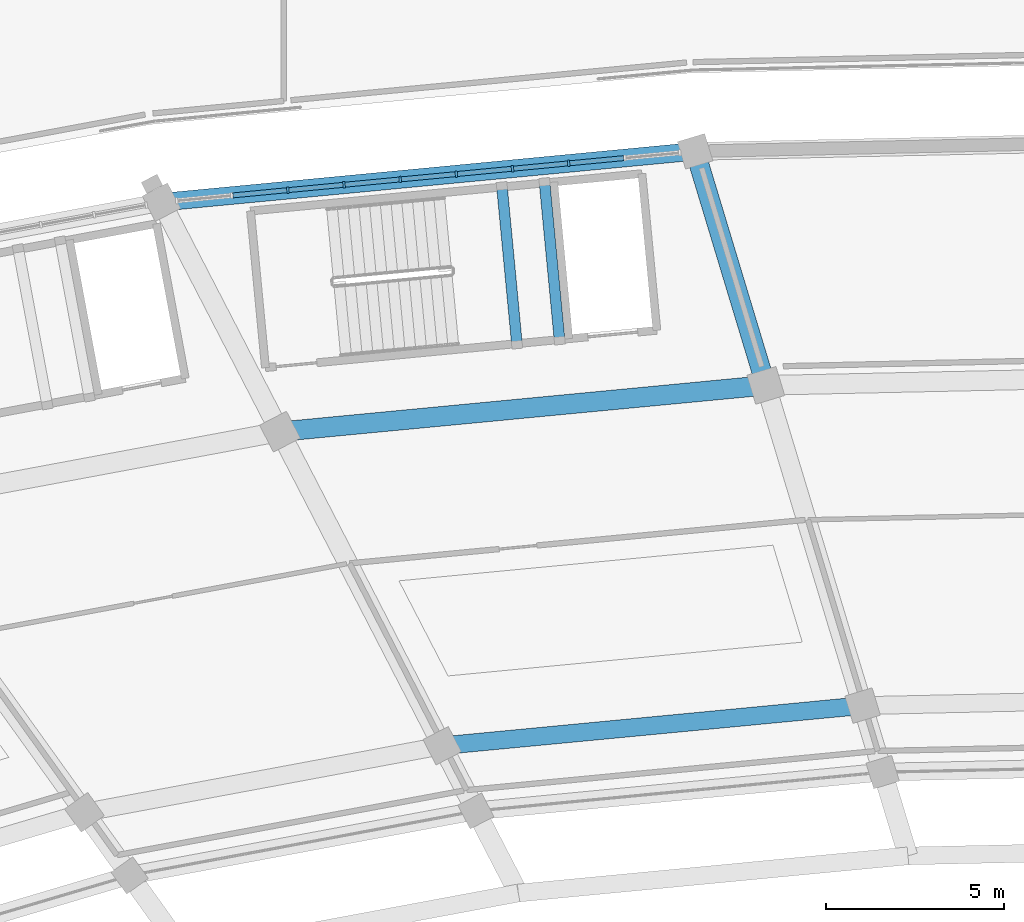
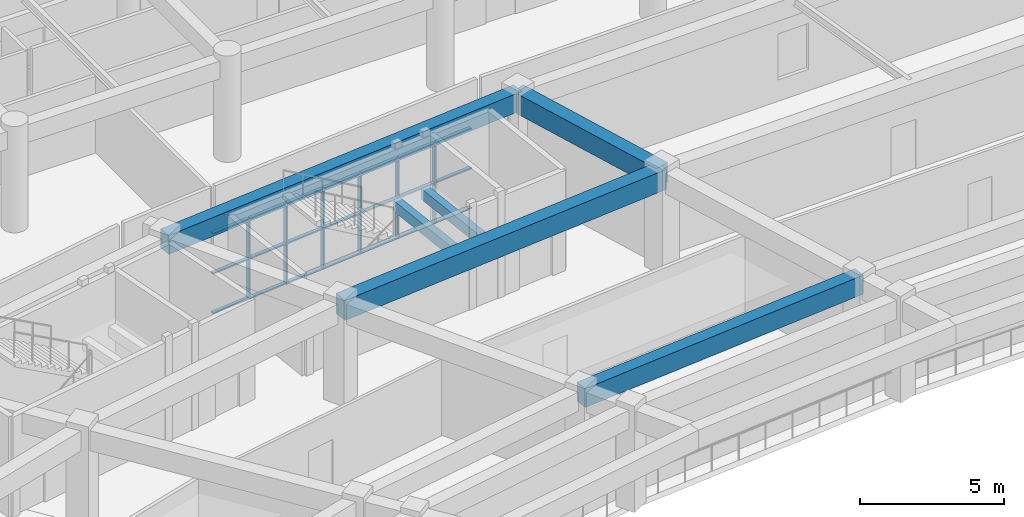
# One storey, part 64 of 145: 27 members, 6 beams, 1 element without a shape of its own.
"""IFC4 building model written with IfcOpenShell, lengths in metres."""

from ifc_helpers import new_model, si_unit, direction, frame, origin, origin_2d, place, context, subcontext, project, spatial, rectangle, extrude, material, layer, layer_set, material_profile, profile_set, type_object, element, aggregate, save


model = new_model("IFC4")

# Units and contexts
model_context = context("Model", 3, precision=1e-05, world=origin(), true_north=direction((0.0, 1.0)))
body_context = subcontext(model_context, "Body", "Model", "MODEL_VIEW")
ifc_project = project(units=[si_unit("LENGTHUNIT", "METRE"), si_unit("AREAUNIT", "SQUARE_METRE"), si_unit("VOLUMEUNIT", "CUBIC_METRE"), si_unit("PLANEANGLEUNIT", "RADIAN"), si_unit("MASSUNIT", "GRAM", prefix="KILO")], contexts=[model_context])

# Site, building, storey
site_placement = place(None, origin())
site = spatial("IfcSite", under=ifc_project, at=site_placement, CompositionType="ELEMENT")
building_placement = place(site_placement, origin())
building = spatial("IfcBuilding", under=site, at=building_placement, Name="Mphavela Belvedere Stadium", CompositionType="ELEMENT")
storey_placement = place(building_placement, frame((0.0, 0.0, 10.199951171875)))
storey = spatial("IfcBuildingStorey", under=building, at=storey_placement, Name="L02", CompositionType="ELEMENT", Elevation=10.199951171875)

# Beams
ifc_material_1 = material(Name="Concrete C40/50", Category="concrete")
ifc_material_profile_1 = material_profile(ifc_material_1, rectangle(XDim=0.300048828125, YDim=0.449951171875, at=origin_2d()), Name="RC 300x450")
ifc_profile_set_1 = profile_set([ifc_material_profile_1], Name="Concrete C40/50")
beam_type_1 = type_object("IfcBeamType", Name="BM-RC300x450", PredefinedType="BEAM", material=ifc_profile_set_1)
for number, where, z_axis, x_axis, name in (
    (1, (87.893798828125, 154.77294921875, 1.824951171875), (-0.094976620198, 0.995479503363, 0.0), (-0.995479503363, -0.094976620198, 0.0), "Core C04 landing trimmer beam L02-1"),
    (2, (89.08837890625, 154.886962890625, 1.824951171875), (-0.094976620198, 0.995479503363, 0.0), (-0.995479503363, -0.094976620198, 0.0), "Core C04 landing trimmer beam L02-2"),
):
    element("IfcBeam", number, at=place(storey_placement, frame(where, z_axis=z_axis, x_axis=x_axis)), inside=storey, type_object=beam_type_1, Name=name, PredefinedType="BEAM", context=body_context, shape_type="SweptSolid", body=[
        extrude(rectangle(XDim=0.300048828125, YDim=0.449951171875, at=origin_2d()), origin(), (0.0, 0.0, 1.0), 4.47021484375),
    ])
ifc_material_2 = material(Name="Concrete C40/50", Category="concrete")
ifc_material_profile_2 = material_profile(ifc_material_2, rectangle(XDim=0.5, YDim=0.800048828125, at=origin_2d()), Name="RC 500x800")
ifc_profile_set_2 = profile_set([ifc_material_profile_2], Name="Concrete C40/50")
beam_type_2 = type_object("IfcBeamType", Name="BM-RC500x800", PredefinedType="BEAM", material=ifc_profile_set_2)
beam_1_placement = place(storey_placement, frame((97.57958984375, 144.657470703125, 3.85009765625), z_axis=(-0.9954829494, -0.094940494283, 0.0), x_axis=(0.094940494283, -0.9954829494, 0.0)))
element("IfcBeam", 3, at=beam_1_placement, inside=storey, type_object=beam_type_2, Name="Circumferential girder L02 R2-14", PredefinedType="BEAM", context=body_context, shape_type="SweptSolid", body=[
    extrude(rectangle(XDim=0.5, YDim=0.800048828125, at=origin_2d()), origin(), (0.0, 0.0, 1.0), 11.836669921875),
])
ifc_material_3 = material(Name="Concrete C40/50", Category="concrete")
ifc_material_profile_3 = material_profile(ifc_material_3, rectangle(XDim=0.550048828125, YDim=0.85009765625, at=origin_2d()), Name="RC 550x850")
ifc_profile_set_3 = profile_set([ifc_material_profile_3], Name="Concrete C40/50")
beam_type_3 = type_object("IfcBeamType", Name="BM-RC550x850", PredefinedType="BEAM", material=ifc_profile_set_3)
beam_2_placement = place(storey_placement, frame((94.8671875, 153.634033203125, 3.824951171875), z_axis=(-0.995483834103, -0.094931217412, 0.0), x_axis=(0.094931217412, -0.995483834103, 0.0)))
element("IfcBeam", 4, at=beam_2_placement, inside=storey, type_object=beam_type_3, Name="Circumferential girder L02 R3-14", PredefinedType="BEAM", context=body_context, shape_type="SweptSolid", body=[
    extrude(rectangle(XDim=0.550048828125, YDim=0.85009765625, at=origin_2d()), origin(), (0.0, 0.0, 1.0), 13.67919921875),
])
beam_3_placement = place(storey_placement, frame((94.8671875, 153.634033203125, 3.824951171875), z_axis=(-0.28918755919, 0.95727245631, 0.0), x_axis=(-0.95727245631, -0.28918755919, 0.0)))
element("IfcBeam", 5, at=beam_3_placement, inside=storey, type_object=beam_type_3, Name="Radial concourse girder L02 R3R4-14", PredefinedType="BEAM", context=body_context, shape_type="SweptSolid", body=[
    extrude(rectangle(XDim=0.550048828125, YDim=0.85009765625, at=origin_2d()), origin(), (0.0, 0.0, 1.0), 6.8525390625),
])
ifc_material_4 = material(Name="Concrete C40/50", Category="concrete")
ifc_material_profile_4 = material_profile(ifc_material_4, rectangle(XDim=0.5, YDim=0.800048828125, at=origin_2d()), Name="RC 500x800")
ifc_profile_set_4 = profile_set([ifc_material_profile_4], Name="Concrete C40/50")
beam_type_4 = type_object("IfcBeamType", Name="BM-SPANDREL-800", PredefinedType="SPANDREL", material=ifc_profile_set_4)
beam_4_placement = place(storey_placement, frame((92.885498046875, 160.19384765625, 3.85009765625), z_axis=(-0.995483415661, -0.094935605244, 0.0), x_axis=(0.094935605244, -0.995483415661, 0.0)))
element("IfcBeam", 6, at=beam_4_placement, inside=storey, type_object=beam_type_4, Name="Circumferential girder L02 R4-14", PredefinedType="SPANDREL", context=body_context, shape_type="SweptSolid", body=[
    extrude(rectangle(XDim=0.5, YDim=0.800048828125, at=origin_2d()), origin(), (0.0, 0.0, 1.0), 15.026123046875),
])

# Curtain wall, members
ifc_material_5 = material(Name="Anodised bronze unitised curtain wall framing")
ifc_layer = layer(ifc_material_5, 0.18505859375)
ifc_layer_set = layer_set([ifc_layer], Name="Anodised bronze unitised curtain wall framing")
curtain_wall_type = type_object("IfcCurtainWallType", Name="CW-UNIT-02", PredefinedType="USERDEFINED", material=ifc_layer_set)
curtain_wall_placement = place(storey_placement, origin())
curtain_wall = element("IfcCurtainWall", 7, at=curtain_wall_placement, inside=storey, type_object=curtain_wall_type, Name="Belvedere colonnade curtain wall L02-14", ObjectType="UNITISED CURTAIN WALL", PredefinedType="USERDEFINED")
ifc_material_6 = material(Name="Anodised bronze extruded aluminium", Category="aluminium")
ifc_material_profile_5 = material_profile(ifc_material_6, rectangle(XDim=0.179931640625, YDim=0.06494140625, at=origin_2d()), Name="CW-MUL 180x65")
ifc_profile_set_5 = profile_set([ifc_material_profile_5], Name="Anodised bronze extruded aluminium")
member_type_1 = type_object("IfcMemberType", Name="CWM-180x65", PredefinedType="MULLION", material=ifc_profile_set_5)
member_1_placement = place(storey_placement, frame((89.34130859375, 159.855712890625, 0.0), z_axis=(0.0, 0.0, 1.0), x_axis=(0.094925825406, -0.99548434828, 0.0)))
member_1 = element("IfcMember", 8, at=member_1_placement, type_object=member_type_1, Name="CW-02 mullion 3", PredefinedType="MULLION", context=body_context, shape_type="SweptSolid", body=[
    extrude(rectangle(XDim=0.179931640625, YDim=0.06494140625, at=origin_2d()), origin(), (0.0, 0.0, 1.0), 3.420166015625),
])
member_2_placement = place(storey_placement, frame((87.767333984375, 159.705810546875, 0.0), z_axis=(0.0, 0.0, 1.0), x_axis=(0.094925825406, -0.99548434828, 0.0)))
member_2 = element("IfcMember", 9, at=member_2_placement, type_object=member_type_1, Name="CW-02 mullion 4", PredefinedType="MULLION", context=body_context, shape_type="SweptSolid", body=[
    extrude(rectangle(XDim=0.179931640625, YDim=0.06494140625, at=origin_2d()), origin(), (0.0, 0.0, 1.0), 3.420166015625),
])
member_3_placement = place(storey_placement, frame((86.193359375, 159.5556640625, 0.0), z_axis=(0.0, 0.0, 1.0), x_axis=(0.094925825406, -0.99548434828, 0.0)))
member_3 = element("IfcMember", 10, at=member_3_placement, type_object=member_type_1, Name="CW-02 mullion 5", PredefinedType="MULLION", context=body_context, shape_type="SweptSolid", body=[
    extrude(rectangle(XDim=0.179931640625, YDim=0.06494140625, at=origin_2d()), origin(), (0.0, 0.0, 1.0), 3.420166015625),
])
member_4_placement = place(storey_placement, frame((84.619384765625, 159.405517578125, 0.0), z_axis=(0.0, 0.0, 1.0), x_axis=(0.094925825406, -0.99548434828, 0.0)))
member_4 = element("IfcMember", 11, at=member_4_placement, type_object=member_type_1, Name="CW-02 mullion 6", PredefinedType="MULLION", context=body_context, shape_type="SweptSolid", body=[
    extrude(rectangle(XDim=0.179931640625, YDim=0.06494140625, at=origin_2d()), origin(), (0.0, 0.0, 1.0), 3.420166015625),
])
member_5_placement = place(storey_placement, frame((83.04541015625, 159.25537109375, 0.0), z_axis=(0.0, 0.0, 1.0), x_axis=(0.094925825406, -0.99548434828, 0.0)))
member_5 = element("IfcMember", 12, at=member_5_placement, type_object=member_type_1, Name="CW-02 mullion 7", PredefinedType="MULLION", context=body_context, shape_type="SweptSolid", body=[
    extrude(rectangle(XDim=0.179931640625, YDim=0.06494140625, at=origin_2d()), origin(), (0.0, 0.0, 1.0), 3.420166015625),
])
member_6_placement = place(storey_placement, frame((81.471435546875, 159.10546875, 0.0), z_axis=(0.0, 0.0, 1.0), x_axis=(0.094925825406, -0.99548434828, 0.0)))
member_6 = element("IfcMember", 13, at=member_6_placement, type_object=member_type_1, Name="CW-02 mullion 8", PredefinedType="MULLION", context=body_context, shape_type="SweptSolid", body=[
    extrude(rectangle(XDim=0.179931640625, YDim=0.06494140625, at=origin_2d()), origin(), (0.0, 0.0, 1.0), 3.420166015625),
])
ifc_material_7 = material(Name="Anodised bronze extruded aluminium", Category="aluminium")
ifc_material_profile_6 = material_profile(ifc_material_7, rectangle(XDim=0.139892578125, YDim=0.06005859375, at=origin_2d()), Name="CW-TRN 140x60")
ifc_profile_set_6 = profile_set([ifc_material_profile_6], Name="Anodised bronze extruded aluminium")
member_type_2 = type_object("IfcMemberType", Name="CWT-140x60", PredefinedType="USERDEFINED", material=ifc_profile_set_6)
member_7_placement = place(storey_placement, frame((90.8828125, 160.0029296875, 0.030029296875), z_axis=(-0.995476636203, -0.095006666994, 0.0), x_axis=(0.095006666994, -0.995476636203, 0.0)))
member_7 = element("IfcMember", 14, at=member_7_placement, type_object=member_type_2, Name="CW-02 transom 2.1", ObjectType="TRANSOM", PredefinedType="USERDEFINED", context=body_context, shape_type="SweptSolid", body=[
    extrude(rectangle(XDim=0.139892578125, YDim=0.06005859375, at=origin_2d()), origin(), (0.0, 0.0, 1.0), 1.51611328125),
])
member_8_placement = place(storey_placement, frame((90.8828125, 160.0029296875, 1.7099609375), z_axis=(-0.995476636203, -0.095006666994, 0.0), x_axis=(0.095006666994, -0.995476636203, 0.0)))
member_8 = element("IfcMember", 15, at=member_8_placement, type_object=member_type_2, Name="CW-02 transom 2.2", ObjectType="TRANSOM", PredefinedType="USERDEFINED", context=body_context, shape_type="SweptSolid", body=[
    extrude(rectangle(XDim=0.139892578125, YDim=0.06005859375, at=origin_2d()), origin(), (0.0, 0.0, 1.0), 1.51611328125),
])
member_9_placement = place(storey_placement, frame((90.8828125, 160.0029296875, 3.39013671875), z_axis=(-0.995476636203, -0.095006666994, 0.0), x_axis=(0.095006666994, -0.995476636203, 0.0)))
member_9 = element("IfcMember", 16, at=member_9_placement, type_object=member_type_2, Name="CW-02 transom 2.3", ObjectType="TRANSOM", PredefinedType="USERDEFINED", context=body_context, shape_type="SweptSolid", body=[
    extrude(rectangle(XDim=0.139892578125, YDim=0.06005859375, at=origin_2d()), origin(), (0.0, 0.0, 1.0), 1.51611328125),
])
member_10_placement = place(storey_placement, frame((89.308837890625, 159.852783203125, 0.030029296875), z_axis=(-0.995476636203, -0.095006666994, 0.0), x_axis=(0.095006666994, -0.995476636203, 0.0)))
member_10 = element("IfcMember", 17, at=member_10_placement, type_object=member_type_2, Name="CW-02 transom 3.1", ObjectType="TRANSOM", PredefinedType="USERDEFINED", context=body_context, shape_type="SweptSolid", body=[
    extrude(rectangle(XDim=0.139892578125, YDim=0.06005859375, at=origin_2d()), origin(), (0.0, 0.0, 1.0), 1.51611328125),
])
member_11_placement = place(storey_placement, frame((89.308837890625, 159.852783203125, 1.7099609375), z_axis=(-0.995476636203, -0.095006666994, 0.0), x_axis=(0.095006666994, -0.995476636203, 0.0)))
member_11 = element("IfcMember", 18, at=member_11_placement, type_object=member_type_2, Name="CW-02 transom 3.2", ObjectType="TRANSOM", PredefinedType="USERDEFINED", context=body_context, shape_type="SweptSolid", body=[
    extrude(rectangle(XDim=0.139892578125, YDim=0.06005859375, at=origin_2d()), origin(), (0.0, 0.0, 1.0), 1.51611328125),
])
member_12_placement = place(storey_placement, frame((89.308837890625, 159.852783203125, 3.39013671875), z_axis=(-0.995476636203, -0.095006666994, 0.0), x_axis=(0.095006666994, -0.995476636203, 0.0)))
member_12 = element("IfcMember", 19, at=member_12_placement, type_object=member_type_2, Name="CW-02 transom 3.3", ObjectType="TRANSOM", PredefinedType="USERDEFINED", context=body_context, shape_type="SweptSolid", body=[
    extrude(rectangle(XDim=0.139892578125, YDim=0.06005859375, at=origin_2d()), origin(), (0.0, 0.0, 1.0), 1.51611328125),
])
member_13_placement = place(storey_placement, frame((87.73486328125, 159.70263671875, 0.030029296875), z_axis=(-0.995491853201, -0.094847088569, 0.0), x_axis=(0.094847088569, -0.995491853201, 0.0)))
member_13 = element("IfcMember", 20, at=member_13_placement, type_object=member_type_2, Name="CW-02 transom 4.1", ObjectType="TRANSOM", PredefinedType="USERDEFINED", context=body_context, shape_type="SweptSolid", body=[
    extrude(rectangle(XDim=0.139892578125, YDim=0.06005859375, at=origin_2d()), origin(), (0.0, 0.0, 1.0), 1.51611328125),
])
member_14_placement = place(storey_placement, frame((87.73486328125, 159.70263671875, 1.7099609375), z_axis=(-0.995491853201, -0.094847088569, 0.0), x_axis=(0.094847088569, -0.995491853201, 0.0)))
member_14 = element("IfcMember", 21, at=member_14_placement, type_object=member_type_2, Name="CW-02 transom 4.2", ObjectType="TRANSOM", PredefinedType="USERDEFINED", context=body_context, shape_type="SweptSolid", body=[
    extrude(rectangle(XDim=0.139892578125, YDim=0.06005859375, at=origin_2d()), origin(), (0.0, 0.0, 1.0), 1.51611328125),
])
member_15_placement = place(storey_placement, frame((87.73486328125, 159.70263671875, 3.39013671875), z_axis=(-0.995491853201, -0.094847088569, 0.0), x_axis=(0.094847088569, -0.995491853201, 0.0)))
member_15 = element("IfcMember", 22, at=member_15_placement, type_object=member_type_2, Name="CW-02 transom 4.3", ObjectType="TRANSOM", PredefinedType="USERDEFINED", context=body_context, shape_type="SweptSolid", body=[
    extrude(rectangle(XDim=0.139892578125, YDim=0.06005859375, at=origin_2d()), origin(), (0.0, 0.0, 1.0), 1.51611328125),
])
member_16_placement = place(storey_placement, frame((86.160888671875, 159.552490234375, 0.030029296875), z_axis=(-0.995491853201, -0.094847088569, 0.0), x_axis=(0.094847088569, -0.995491853201, 0.0)))
member_16 = element("IfcMember", 23, at=member_16_placement, type_object=member_type_2, Name="CW-02 transom 5.1", ObjectType="TRANSOM", PredefinedType="USERDEFINED", context=body_context, shape_type="SweptSolid", body=[
    extrude(rectangle(XDim=0.139892578125, YDim=0.06005859375, at=origin_2d()), origin(), (0.0, 0.0, 1.0), 1.51611328125),
])
member_17_placement = place(storey_placement, frame((86.160888671875, 159.552490234375, 1.7099609375), z_axis=(-0.995491853201, -0.094847088569, 0.0), x_axis=(0.094847088569, -0.995491853201, 0.0)))
member_17 = element("IfcMember", 24, at=member_17_placement, type_object=member_type_2, Name="CW-02 transom 5.2", ObjectType="TRANSOM", PredefinedType="USERDEFINED", context=body_context, shape_type="SweptSolid", body=[
    extrude(rectangle(XDim=0.139892578125, YDim=0.06005859375, at=origin_2d()), origin(), (0.0, 0.0, 1.0), 1.51611328125),
])
member_18_placement = place(storey_placement, frame((86.160888671875, 159.552490234375, 3.39013671875), z_axis=(-0.995491853201, -0.094847088569, 0.0), x_axis=(0.094847088569, -0.995491853201, 0.0)))
member_18 = element("IfcMember", 25, at=member_18_placement, type_object=member_type_2, Name="CW-02 transom 5.3", ObjectType="TRANSOM", PredefinedType="USERDEFINED", context=body_context, shape_type="SweptSolid", body=[
    extrude(rectangle(XDim=0.139892578125, YDim=0.06005859375, at=origin_2d()), origin(), (0.0, 0.0, 1.0), 1.51611328125),
])
member_19_placement = place(storey_placement, frame((84.5869140625, 159.402587890625, 0.030029296875), z_axis=(-0.995476636203, -0.095006666994, 0.0), x_axis=(0.095006666994, -0.995476636203, 0.0)))
member_19 = element("IfcMember", 26, at=member_19_placement, type_object=member_type_2, Name="CW-02 transom 6.1", ObjectType="TRANSOM", PredefinedType="USERDEFINED", context=body_context, shape_type="SweptSolid", body=[
    extrude(rectangle(XDim=0.139892578125, YDim=0.06005859375, at=origin_2d()), origin(), (0.0, 0.0, 1.0), 1.51611328125),
])
member_20_placement = place(storey_placement, frame((84.5869140625, 159.402587890625, 1.7099609375), z_axis=(-0.995476636203, -0.095006666994, 0.0), x_axis=(0.095006666994, -0.995476636203, 0.0)))
member_20 = element("IfcMember", 27, at=member_20_placement, type_object=member_type_2, Name="CW-02 transom 6.2", ObjectType="TRANSOM", PredefinedType="USERDEFINED", context=body_context, shape_type="SweptSolid", body=[
    extrude(rectangle(XDim=0.139892578125, YDim=0.06005859375, at=origin_2d()), origin(), (0.0, 0.0, 1.0), 1.51611328125),
])
member_21_placement = place(storey_placement, frame((84.5869140625, 159.402587890625, 3.39013671875), z_axis=(-0.995476636203, -0.095006666994, 0.0), x_axis=(0.095006666994, -0.995476636203, 0.0)))
member_21 = element("IfcMember", 28, at=member_21_placement, type_object=member_type_2, Name="CW-02 transom 6.3", ObjectType="TRANSOM", PredefinedType="USERDEFINED", context=body_context, shape_type="SweptSolid", body=[
    extrude(rectangle(XDim=0.139892578125, YDim=0.06005859375, at=origin_2d()), origin(), (0.0, 0.0, 1.0), 1.51611328125),
])
member_22_placement = place(storey_placement, frame((83.012939453125, 159.25244140625, 0.030029296875), z_axis=(-0.995476636203, -0.095006666994, 0.0), x_axis=(0.095006666994, -0.995476636203, 0.0)))
member_22 = element("IfcMember", 29, at=member_22_placement, type_object=member_type_2, Name="CW-02 transom 7.1", ObjectType="TRANSOM", PredefinedType="USERDEFINED", context=body_context, shape_type="SweptSolid", body=[
    extrude(rectangle(XDim=0.139892578125, YDim=0.06005859375, at=origin_2d()), origin(), (0.0, 0.0, 1.0), 1.51611328125),
])
member_23_placement = place(storey_placement, frame((83.012939453125, 159.25244140625, 1.7099609375), z_axis=(-0.995476636203, -0.095006666994, 0.0), x_axis=(0.095006666994, -0.995476636203, 0.0)))
member_23 = element("IfcMember", 30, at=member_23_placement, type_object=member_type_2, Name="CW-02 transom 7.2", ObjectType="TRANSOM", PredefinedType="USERDEFINED", context=body_context, shape_type="SweptSolid", body=[
    extrude(rectangle(XDim=0.139892578125, YDim=0.06005859375, at=origin_2d()), origin(), (0.0, 0.0, 1.0), 1.51611328125),
])
member_24_placement = place(storey_placement, frame((83.012939453125, 159.25244140625, 3.39013671875), z_axis=(-0.995476636203, -0.095006666994, 0.0), x_axis=(0.095006666994, -0.995476636203, 0.0)))
member_24 = element("IfcMember", 31, at=member_24_placement, type_object=member_type_2, Name="CW-02 transom 7.3", ObjectType="TRANSOM", PredefinedType="USERDEFINED", context=body_context, shape_type="SweptSolid", body=[
    extrude(rectangle(XDim=0.139892578125, YDim=0.06005859375, at=origin_2d()), origin(), (0.0, 0.0, 1.0), 1.51611328125),
])
member_25_placement = place(storey_placement, frame((81.43896484375, 159.102294921875, 0.030029296875), z_axis=(-0.995476636203, -0.095006666994, 0.0), x_axis=(0.095006666994, -0.995476636203, 0.0)))
member_25 = element("IfcMember", 32, at=member_25_placement, type_object=member_type_2, Name="CW-02 transom 8.1", ObjectType="TRANSOM", PredefinedType="USERDEFINED", context=body_context, shape_type="SweptSolid", body=[
    extrude(rectangle(XDim=0.139892578125, YDim=0.06005859375, at=origin_2d()), origin(), (0.0, 0.0, 1.0), 1.51611328125),
])
member_26_placement = place(storey_placement, frame((81.43896484375, 159.102294921875, 1.7099609375), z_axis=(-0.995476636203, -0.095006666994, 0.0), x_axis=(0.095006666994, -0.995476636203, 0.0)))
member_26 = element("IfcMember", 33, at=member_26_placement, type_object=member_type_2, Name="CW-02 transom 8.2", ObjectType="TRANSOM", PredefinedType="USERDEFINED", context=body_context, shape_type="SweptSolid", body=[
    extrude(rectangle(XDim=0.139892578125, YDim=0.06005859375, at=origin_2d()), origin(), (0.0, 0.0, 1.0), 1.51611328125),
])
member_27_placement = place(storey_placement, frame((81.43896484375, 159.102294921875, 3.39013671875), z_axis=(-0.995476636203, -0.095006666994, 0.0), x_axis=(0.095006666994, -0.995476636203, 0.0)))
member_27 = element("IfcMember", 34, at=member_27_placement, type_object=member_type_2, Name="CW-02 transom 8.3", ObjectType="TRANSOM", PredefinedType="USERDEFINED", context=body_context, shape_type="SweptSolid", body=[
    extrude(rectangle(XDim=0.139892578125, YDim=0.06005859375, at=origin_2d()), origin(), (0.0, 0.0, 1.0), 1.51611328125),
])
aggregate(curtain_wall, [member_1, member_2, member_3, member_4, member_5, member_6, member_7, member_8, member_9, member_10, member_11, member_12, member_13, member_14, member_15, member_16, member_17, member_18, member_19, member_20, member_21, member_22, member_23, member_24, member_25, member_26, member_27])

save(model, "model.ifc")
